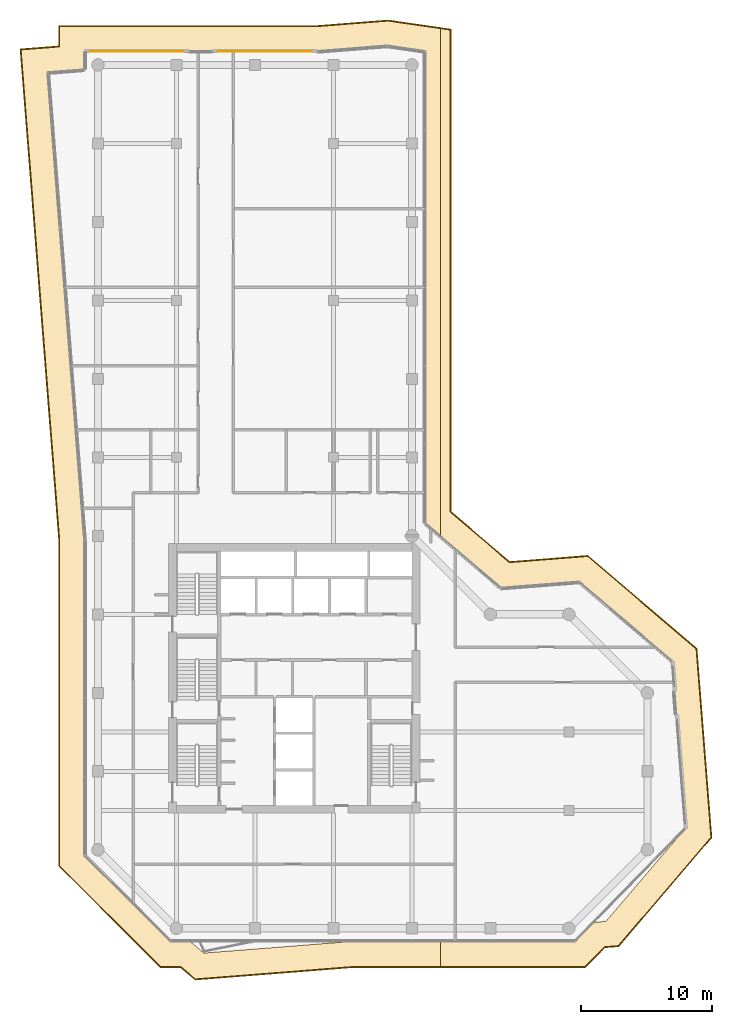
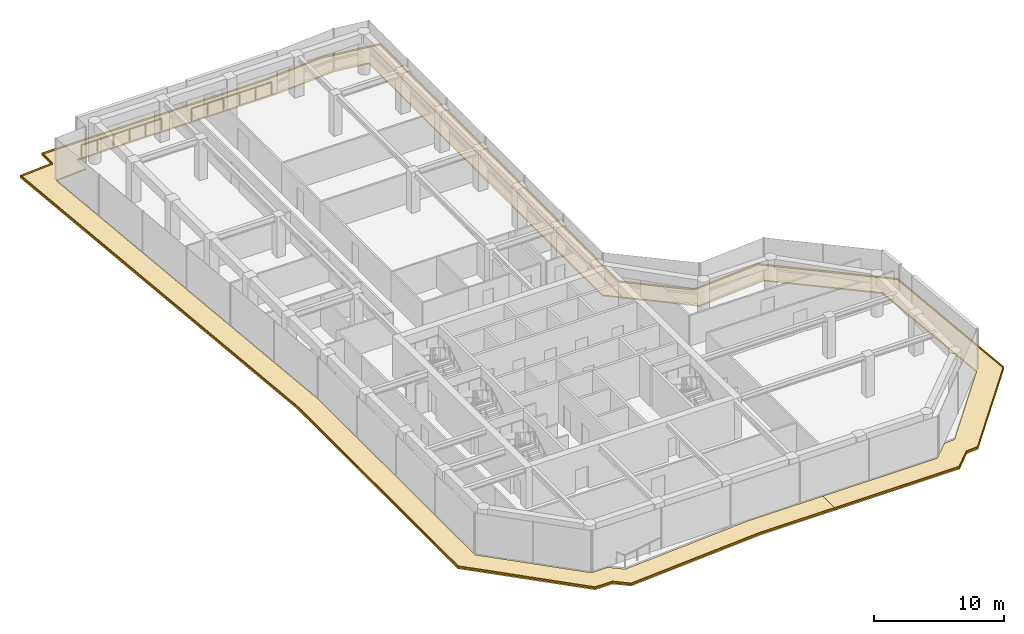
# One storey, part 23 of 23: 4 coverings, 2 railings.
"""IFC4 building model written with IfcOpenShell, lengths in metres."""

import ifcopenshell
import ifcopenshell.guid

model = None  # the IFC model being written
_history = None  # IfcOwnerHistory: only IFC2X3 demands one
_inside = {}  # id of a spatial element -> (the spatial element, [elements in it])
_under = {}  # id of a project, library or spatial element -> (it, [spatial elements below it])
_declared = {}  # id of a project -> (the project, [libraries it declares])
_typed = {}  # id of a type object -> (the type object, [elements of that type])
_made_of = {}  # id of a material, layer set ... -> (it, [elements and type objects made of it])


def new_model(schema):
    """Start an empty IFC model of exactly this schema.

    Asked for "IFC4X3", IfcOpenShell would pick the latest addendum, in which some entities
    have other attributes; the version numbers below select the first issue.
    IFC2X3 requires an IfcOwnerHistory on every rooted entity: one is made here for all.
    """
    global model, _history
    if schema == "IFC4X3":
        model = ifcopenshell.file(schema_version=(4, 3, 0, 0))
    else:
        model = ifcopenshell.file(schema=schema)
    _inside.clear()
    _under.clear()
    _declared.clear()
    _typed.clear()
    _made_of.clear()
    _history = None
    if model.schema == "IFC2X3":
        org = make("IfcOrganization", Name="unknown")
        user = make(
            "IfcPersonAndOrganization",
            ThePerson=make("IfcPerson", FamilyName="unknown"),
            TheOrganization=org,
        )
        app = make(
            "IfcApplication",
            ApplicationDeveloper=org,
            Version="unknown",
            ApplicationFullName="unknown",
            ApplicationIdentifier="unknown",
        )
        _history = make(
            "IfcOwnerHistory",
            OwningUser=user,
            OwningApplication=app,
            ChangeAction="ADDED",
            CreationDate=0,
        )
    return model


def make(cls, **values):
    """One entity of the class cls with the attributes given. An attribute that is None is left unset."""
    return model.create_entity(
        cls, **{name: value for name, value in values.items() if value is not None}
    )


def rooted(cls, **values):
    """An entity with a GlobalId (a new one), such as an element, a storey or a relation."""
    return make(cls, GlobalId=ifcopenshell.guid.new(), OwnerHistory=_history, **values)


def si_unit(unit_type, name, prefix=None):
    """IfcSIUnit, for example si_unit("LENGTHUNIT", "METRE", prefix="MILLI")."""
    return make("IfcSIUnit", UnitType=unit_type, Prefix=prefix, Name=name)


def assignment(units):
    """IfcUnitAssignment: the units of a project."""
    return None if units is None else make("IfcUnitAssignment", Units=units)


def point(xyz):
    """IfcCartesianPoint."""
    return None if xyz is None else make("IfcCartesianPoint", Coordinates=xyz)


def direction(xyz):
    """IfcDirection."""
    return None if xyz is None else make("IfcDirection", DirectionRatios=xyz)


def frame(location, z_axis=None, x_axis=None):
    """IfcAxis2Placement3D, a coordinate frame: its origin and axes. An axis left out is left unset."""
    return make(
        "IfcAxis2Placement3D",
        Location=point(location),
        Axis=direction(z_axis),
        RefDirection=direction(x_axis),
    )


def frame_2d(location, x_axis=None):
    """IfcAxis2Placement2D, a coordinate frame in the plane: its origin and x axis."""
    return make(
        "IfcAxis2Placement2D", Location=point(location), RefDirection=direction(x_axis)
    )


def origin():
    """The frame at (0, 0, 0) with its axes left unset."""
    return frame((0.0, 0.0, 0.0))


def origin_2d():
    """The frame at (0, 0) in the plane with its x axis left unset."""
    return frame_2d((0.0, 0.0))


def place(relative_to, where):
    """IfcLocalPlacement: puts the frame where relative to a parent placement (None: the world)."""
    return make(
        "IfcLocalPlacement", PlacementRelTo=relative_to, RelativePlacement=where
    )


def context(
    kind, dimensions, precision=None, world=None, true_north=None, identifier=None
):
    """IfcGeometricRepresentationContext, for example the 3D "Model" context."""
    return make(
        "IfcGeometricRepresentationContext",
        ContextIdentifier=identifier,
        ContextType=kind,
        CoordinateSpaceDimension=dimensions,
        Precision=precision,
        WorldCoordinateSystem=world,
        TrueNorth=true_north,
    )


def subcontext(parent, identifier, kind, view, scale=None):
    """IfcGeometricRepresentationSubContext, for example "Body" below "Model"."""
    return make(
        "IfcGeometricRepresentationSubContext",
        ContextIdentifier=identifier,
        ContextType=kind,
        ParentContext=parent,
        TargetScale=scale,
        TargetView=view,
    )


def project(units=None, contexts=None):
    """IfcProject with its units and contexts."""
    return rooted(
        "IfcProject",
        Name="project",
        RepresentationContexts=contexts,
        UnitsInContext=assignment(units),
    )


def spatial(cls, under=None, at=None, **own):
    """A site, building, storey or space (cls), placed at a placement, below another one or the project."""
    s = rooted(cls, ObjectPlacement=at, **own)
    if under is not None:
        _under.setdefault(under.id(), (under, []))[1].append(s)
    return s


def polyline(points):
    """IfcPolyline through the points."""
    return make("IfcPolyline", Points=[point(p) for p in points])


def profile(cls, at=None, kind="AREA", **sizes):
    """A parametric profile (cls). Its sizes go by their IFC names, for example OverallWidth=200.0."""
    return make(cls, ProfileType=kind, Position=at, **sizes)


def circle(**sizes):
    """IfcCircleProfileDef."""
    return profile("IfcCircleProfileDef", **sizes)


def outline(outer, holes=None, kind="AREA"):
    """IfcArbitraryClosedProfileDef: a profile drawn as a closed curve; with holes, ...WithVoids."""
    if holes is None:
        return make("IfcArbitraryClosedProfileDef", ProfileType=kind, OuterCurve=outer)
    return make(
        "IfcArbitraryProfileDefWithVoids",
        ProfileType=kind,
        OuterCurve=outer,
        InnerCurves=holes,
    )


def extrude(swept, where, along, depth):
    """IfcExtrudedAreaSolid: the profile swept, set in the frame where, extruded along a direction by depth."""
    return make(
        "IfcExtrudedAreaSolid",
        SweptArea=swept,
        Position=where,
        ExtrudedDirection=direction(along),
        Depth=depth,
    )


def shape(context_of_items, identifier, shape_type, items):
    """IfcShapeRepresentation: the items that make up one representation, for example the "Body"."""
    return make(
        "IfcShapeRepresentation",
        ContextOfItems=context_of_items,
        RepresentationIdentifier=identifier,
        RepresentationType=shape_type,
        Items=items,
    )


def material(Name=None, Category=None):
    """IfcMaterial."""
    return make("IfcMaterial", Name=Name, Category=Category)


def layer(
    of_material, thickness, ventilated=None, Name=None, Category=None, Priority=None
):
    """IfcMaterialLayer: one layer of a wall or slab, of a material (None: an air gap)."""
    return make(
        "IfcMaterialLayer",
        Material=of_material,
        LayerThickness=thickness,
        IsVentilated=ventilated,
        Name=Name,
        Category=Category,
        Priority=Priority,
    )


def layer_set(layers, Name=None):
    """IfcMaterialLayerSet."""
    return make("IfcMaterialLayerSet", MaterialLayers=layers, LayerSetName=Name)


def made_of(thing, what):
    """Note that an element or type object is made of a material, layer set ...; save() writes the relation."""
    if what is not None:
        _made_of.setdefault(what.id(), (what, []))[1].append(thing)
    return thing


def type_object(cls, material=None, **own):
    """A type object (cls), such as IfcWallType, which elements share."""
    return made_of(rooted(cls, **own), material)


def element(
    cls,
    number,
    at=None,
    inside=None,
    cuts=None,
    type_object=None,
    material=None,
    context=None,
    identifier="Body",
    shape_type=None,
    held_by="IfcProductDefinitionShape",
    body=None,
    shapes=None,
    **own,
):
    """One element of the class cls, such as IfcWall. Its Tag is "e" and its number.

    at: its placement. inside: the storey or other place that contains it. cuts: it is an
    opening in that element (IfcRelVoidsElement). A single representation is given by context,
    identifier, shape_type and body (its items); several are given by shapes. held_by: the class
    of the entity that holds the representations. save() writes the other relations.
    """
    e = rooted(cls, Tag="e%d" % number, ObjectPlacement=at, **own)
    if body is not None:
        shapes = [shape(context, identifier, shape_type, body)]
    if shapes is not None:
        e.Representation = make(held_by, Representations=shapes)
    if inside is not None:
        _inside.setdefault(inside.id(), (inside, []))[1].append(e)
    if cuts is not None:
        rooted(
            "IfcRelVoidsElement", RelatingBuildingElement=cuts, RelatedOpeningElement=e
        )
    if type_object is not None:
        _typed.setdefault(type_object.id(), (type_object, []))[1].append(e)
    return made_of(e, material)


def aggregate(whole, parts):
    """IfcRelAggregates: a whole, such as a stair, and the parts it consists of."""
    return rooted("IfcRelAggregates", RelatingObject=whole, RelatedObjects=parts)


def save(model, path):
    """Write the relations noted so far, then the file.

    IfcRelAggregates (storeys below a building ...), IfcRelContainedInSpatialStructure (elements
    in a storey), IfcRelDefinesByType, IfcRelAssociatesMaterial and IfcRelDeclares: one each for
    every whole, place, type object, material and project.
    """
    for whole, parts in _under.values():
        aggregate(whole, parts)
    for where, things in _inside.values():
        rooted(
            "IfcRelContainedInSpatialStructure",
            RelatedElements=things,
            RelatingStructure=where,
        )
    for kind, things in _typed.values():
        rooted("IfcRelDefinesByType", RelatedObjects=things, RelatingType=kind)
    for what, things in _made_of.values():
        rooted("IfcRelAssociatesMaterial", RelatedObjects=things, RelatingMaterial=what)
    for by, libraries in _declared.values():
        rooted("IfcRelDeclares", RelatingContext=by, RelatedDefinitions=libraries)
    model.write(path)


model = new_model("IFC4")

# Units and contexts
model_context = context("Model", 3, precision=1e-05, world=origin(), true_north=direction((0.0, 1.0)))
body_context = subcontext(model_context, "Body", "Model", "MODEL_VIEW")
ifc_project = project(units=[si_unit("LENGTHUNIT", "METRE"), si_unit("AREAUNIT", "SQUARE_METRE"), si_unit("VOLUMEUNIT", "CUBIC_METRE"), si_unit("PLANEANGLEUNIT", "RADIAN"), si_unit("MASSUNIT", "GRAM", prefix="KILO")], contexts=[model_context])

# Site, building, storey
site_placement = place(None, origin())
site = spatial("IfcSite", under=ifc_project, at=site_placement, CompositionType="ELEMENT")
building_placement = place(site_placement, origin())
building = spatial("IfcBuilding", under=site, at=building_placement, Name="Welwitschia Terrace Campus", CompositionType="ELEMENT")
storey_placement = place(building_placement, frame((0.0, 0.0, 188.60009765625)))
storey = spatial("IfcBuildingStorey", under=building, at=storey_placement, Name="L42", CompositionType="ELEMENT", Elevation=188.60009765625)

# Railings
ifc_material_1 = material(Name="Stainless steel grade 316", Category="steel")
railing_type = type_object("IfcRailingType", Name="Guard 1100", PredefinedType="GUARDRAIL", material=ifc_material_1)
railing_1_placement = place(storey_placement, frame((-0.580078125, 63.030029296875, 0.0)))
element("IfcRailing", 1, at=railing_1_placement, inside=storey, type_object=railing_type, Name="Guard floor edge L42.0", PredefinedType="GUARDRAIL", context=body_context, shape_type="SweptSolid", body=[
    extrude(circle(Radius=0.02392578125, at=origin_2d()), frame((0.0, 0.0, 1.076171875), z_axis=(1.0, 0.0, 0.0), x_axis=(0.0, 1.0, 0.0)), (0.0, 0.0, 1.0), 7.1298828125),
    extrude(circle(Radius=0.02099609375, at=origin_2d()), origin(), (0.0, 0.0, 1.0), 1.052001953125),
    extrude(circle(Radius=0.02099609375, at=origin_2d()), frame((1.426025390625, 0.0, 0.0)), (0.0, 0.0, 1.0), 1.052001953125),
    extrude(circle(Radius=0.02099609375, at=origin_2d()), frame((2.85205078125, 0.0, 0.0)), (0.0, 0.0, 1.0), 1.052001953125),
    extrude(circle(Radius=0.02099609375, at=origin_2d()), frame((4.27783203125, 0.0, 0.0)), (0.0, 0.0, 1.0), 1.052001953125),
    extrude(circle(Radius=0.02099609375, at=origin_2d()), frame((5.703857421875, 0.0, 0.0)), (0.0, 0.0, 1.0), 1.052001953125),
    extrude(circle(Radius=0.02099609375, at=origin_2d()), frame((7.1298828125, 0.0, 0.0)), (0.0, 0.0, 1.0), 1.052001953125),
])
railing_2_placement = place(storey_placement, frame((9.197021484375, 63.030029296875, 0.0)))
element("IfcRailing", 2, at=railing_2_placement, inside=storey, type_object=railing_type, Name="Guard floor edge L42.2", PredefinedType="GUARDRAIL", context=body_context, shape_type="SweptSolid", body=[
    extrude(circle(Radius=0.02392578125, at=origin_2d()), frame((0.0, 0.0, 1.076171875), z_axis=(1.0, 0.0, 0.0), x_axis=(0.0, 1.0, 0.0)), (0.0, 0.0, 1.0), 7.156005859375),
    extrude(circle(Radius=0.02099609375, at=origin_2d()), origin(), (0.0, 0.0, 1.0), 1.052001953125),
    extrude(circle(Radius=0.02099609375, at=origin_2d()), frame((1.43115234375, 0.0, 0.0)), (0.0, 0.0, 1.0), 1.052001953125),
    extrude(circle(Radius=0.02099609375, at=origin_2d()), frame((2.8623046875, 0.0, 0.0)), (0.0, 0.0, 1.0), 1.052001953125),
    extrude(circle(Radius=0.02099609375, at=origin_2d()), frame((4.293701171875, 0.0, 0.0)), (0.0, 0.0, 1.0), 1.052001953125),
    extrude(circle(Radius=0.02099609375, at=origin_2d()), frame((5.724853515625, 0.0, 0.0)), (0.0, 0.0, 1.0), 1.052001953125),
    extrude(circle(Radius=0.02099609375, at=origin_2d()), frame((7.156005859375, 0.0, 0.0)), (0.0, 0.0, 1.0), 1.052001953125),
])

# Coverings
ifc_material_2 = material(Name="Bronze anodised aluminium", Category="aluminium")
ifc_layer_1 = layer(ifc_material_2, 0.1201171875)
ifc_layer_set_1 = layer_set([ifc_layer_1], Name="Bronze anodised aluminium")
covering_type_1 = type_object("IfcCoveringType", Name="Sunshade band 2000", PredefinedType="USERDEFINED", material=ifc_layer_set_1)
covering_1_placement = place(storey_placement, frame((0.0, 0.0, -0.25)))
element("IfcCovering", 3, at=covering_1_placement, inside=storey, type_object=covering_type_1, Name="SUNSHADE L42.SW0", ObjectType="SUNSHADE", PredefinedType="USERDEFINED", context=body_context, shape_type="SweptSolid", body=[
    extrude(outline(polyline([(-3.0, 65.0), (16.699462890625, 65.0), (22.177490234375, 65.43115234375), (26.19140625, 64.847900390625), (26.19140625, 25.91357421875), (25.0, 26.93115234375), (25.0, 63.0), (22.111328125, 63.419677734375), (16.778076171875, 63.0), (-1.0, 63.0), (-1.0, 61.600830078125), (-3.80859375, 61.3798828125), (-1.0, 25.6943359375), (-1.0, 1.585693359375), (5.585693359375, -5.0), (7.045654296875, -5.0), (8.09228515625, -5.893798828125), (19.44970703125, -5.0), (26.19140625, -5.0), (26.19140625, -7.0), (19.5283203125, -7.0), (7.423095703125, -7.95263671875), (6.307861328125, -7.0), (4.75732421875, -7.0), (-3.0, 0.75732421875), (-3.0, 25.61572265625), (-5.959228515625, 63.216796875), (-3.0, 63.44970703125), (-3.0, 65.0)])), origin(), (0.0, 0.0, 1.0), 0.119873046875),
])
covering_2_placement = place(storey_placement, frame((0.0, 0.0, -0.25)))
element("IfcCovering", 4, at=covering_2_placement, inside=storey, type_object=covering_type_1, Name="SUNSHADE L42.SE0", ObjectType="SUNSHADE", PredefinedType="USERDEFINED", context=body_context, shape_type="SweptSolid", body=[
    extrude(outline(polyline([(27.0, 64.73046875), (27.0, 27.853271484375), (31.47314453125, 24.03271484375), (37.45458984375, 24.503662109375), (45.796630859375, 17.37890625), (46.93310546875, 2.938232421875), (39.808349609375, -5.40380859375), (38.755859375, -5.48681640625), (37.24267578125, -7.0), (26.19140625, -7.0), (26.19140625, -5.0), (36.414306640625, -5.0), (37.86328125, -3.55078125), (38.82568359375, -3.47509765625), (44.87451171875, 3.607177734375), (43.867919921875, 16.39599609375), (36.78564453125, 22.44482421875), (30.80419921875, 21.97412109375), (26.19140625, 25.91357421875), (26.19140625, 64.847900390625), (27.0, 64.73046875)])), origin(), (0.0, 0.0, 1.0), 0.119873046875),
])
ifc_material_3 = material(Name="Bronze anodised aluminium", Category="aluminium")
ifc_layer_2 = layer(ifc_material_3, 0.06005859375)
ifc_layer_set_2 = layer_set([ifc_layer_2], Name="Bronze anodised aluminium")
covering_type_2 = type_object("IfcCoveringType", Name="Sunshade lip 60", PredefinedType="USERDEFINED", material=ifc_layer_set_2)
covering_3_placement = place(storey_placement, frame((0.0, 0.0, -0.130126953125)))
element("IfcCovering", 5, at=covering_3_placement, inside=storey, type_object=covering_type_2, Name="SUNSHADE LIP L42.SW0.0", ObjectType="SUNSHADE", PredefinedType="USERDEFINED", context=body_context, shape_type="SweptSolid", body=[
    extrude(outline(polyline([(16.699462890625, 65.0), (22.177490234375, 65.43115234375), (26.19140625, 64.847900390625), (26.19140625, 64.787109375), (22.175537109375, 65.370849609375), (16.701904296875, 64.93994140625), (-2.93994140625, 64.93994140625), (-2.93994140625, 63.394287109375), (-5.894775390625, 63.16162109375), (-2.93994140625, 25.6181640625), (-2.93994140625, 0.7822265625), (4.7822265625, -6.93994140625), (6.329833984375, -6.93994140625), (7.443359375, -7.890869140625), (19.52587890625, -6.93994140625), (26.19140625, -6.93994140625), (26.19140625, -7.0), (19.5283203125, -7.0), (7.423095703125, -7.95263671875), (6.307861328125, -7.0), (4.75732421875, -7.0), (-3.0, 0.75732421875), (-3.0, 25.61572265625), (-5.959228515625, 63.216796875), (-3.0, 63.44970703125), (-3.0, 65.0), (16.699462890625, 65.0)])), origin(), (0.0, 0.0, 1.0), 0.130126953125),
])
covering_4_placement = place(storey_placement, frame((0.0, 0.0, -0.130126953125)))
element("IfcCovering", 6, at=covering_4_placement, inside=storey, type_object=covering_type_2, Name="SUNSHADE LIP L42.SE0.0", ObjectType="SUNSHADE", PredefinedType="USERDEFINED", context=body_context, shape_type="SweptSolid", body=[
    extrude(outline(polyline([(27.0, 27.853271484375), (31.47314453125, 24.03271484375), (37.45458984375, 24.503662109375), (45.796630859375, 17.37890625), (46.93310546875, 2.938232421875), (39.808349609375, -5.40380859375), (38.755859375, -5.48681640625), (37.24267578125, -7.0), (26.19140625, -7.0), (26.19140625, -6.93994140625), (37.2177734375, -6.93994140625), (38.72900390625, -5.4287109375), (39.77880859375, -5.34619140625), (46.871337890625, 2.958251953125), (45.73876953125, 17.349365234375), (37.4345703125, 24.44189453125), (31.452880859375, 23.97119140625), (26.93994140625, 27.82568359375), (26.93994140625, 64.678466796875), (26.19140625, 64.787109375), (26.19140625, 64.847900390625), (27.0, 64.73046875), (27.0, 27.853271484375)])), origin(), (0.0, 0.0, 1.0), 0.130126953125),
])

save(model, "model.ifc")
